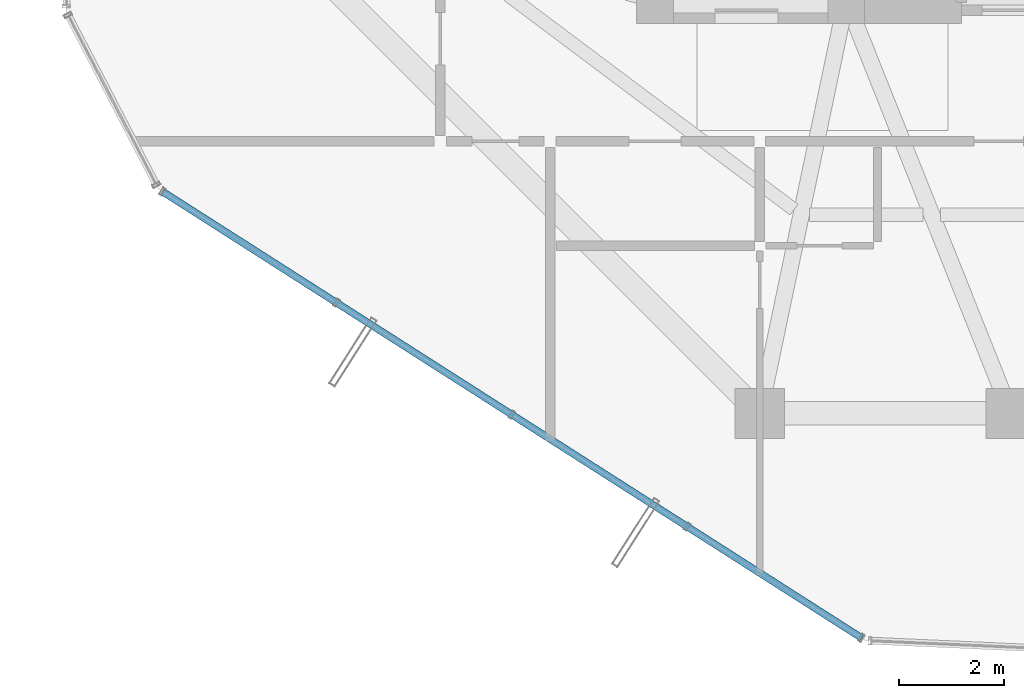
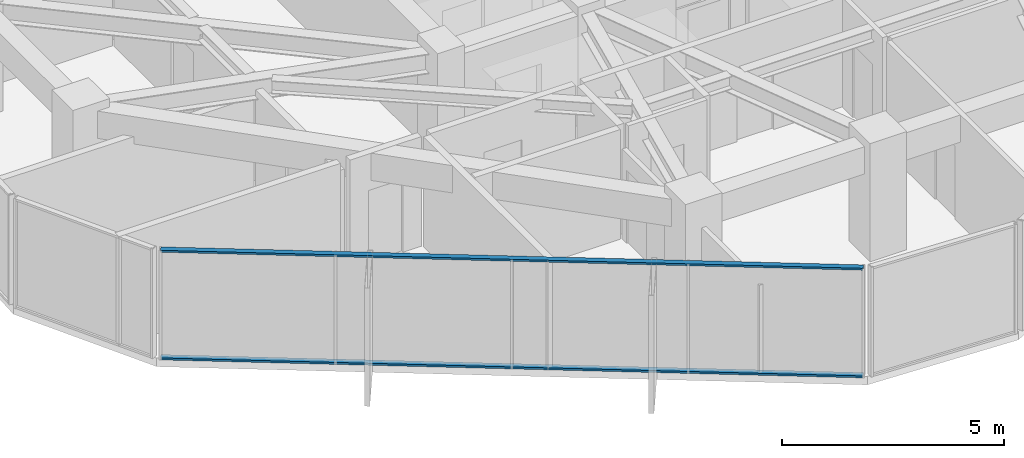
# One storey, part 3 of 29: 2 members, 1 element without a shape of its own.
"""IFC4 building model written with IfcOpenShell, lengths in metres."""

from ifc_helpers import new_model, si_unit, direction, frame, origin, origin_2d, place, context, subcontext, project, spatial, hollow_rectangle, extrude, source, transform, mapped, material, layer, layer_set, material_profile, profile_set, type_object, element, aggregate, save


model = new_model("IFC4")

# Units and contexts
model_context = context("Model", 3, precision=1e-05, world=origin(), true_north=direction((0.0, 1.0)))
body_context = subcontext(model_context, "Body", "Model", "MODEL_VIEW")
ifc_project = project(units=[si_unit("LENGTHUNIT", "METRE"), si_unit("AREAUNIT", "SQUARE_METRE"), si_unit("VOLUMEUNIT", "CUBIC_METRE"), si_unit("PLANEANGLEUNIT", "RADIAN"), si_unit("MASSUNIT", "GRAM", prefix="KILO")], contexts=[model_context])

# Site, building, storey
site_placement = place(None, origin())
site = spatial("IfcSite", under=ifc_project, at=site_placement, CompositionType="ELEMENT")
building_placement = place(site_placement, origin())
building = spatial("IfcBuilding", under=site, at=building_placement, Name="Veraguas Prism Commons", CompositionType="ELEMENT")
storey_placement = place(building_placement, frame((0.0, 0.0, 215.64990234375)))
storey = spatial("IfcBuildingStorey", under=building, at=storey_placement, Name="L61", CompositionType="ELEMENT", Elevation=215.64990234375)

# Curtain wall, members
ifc_material = material(Name="Anodised aluminium EN AW-6063 T6", Category="aluminium")
ifc_layer = layer(ifc_material, 0.14990234375, Name="Unitised Flush Curtain Wall Zone 3", Category="aluminium")
ifc_layer_set = layer_set([ifc_layer], Name="Anodised aluminium EN AW-6063 T6")
curtain_wall_type = type_object("IfcCurtainWallType", Name="Unitised Flush Curtain Wall Zone 3", PredefinedType="NOTDEFINED", material=ifc_layer_set)
curtain_wall_placement = place(storey_placement, origin())
curtain_wall = element("IfcCurtainWall", 1, at=curtain_wall_placement, inside=storey, type_object=curtain_wall_type, Name="Tower Facade Curtain Wall L61-F4", PredefinedType="NOTDEFINED")
ifc_material_profile = material_profile(ifc_material, hollow_rectangle(XDim=0.054931640625, YDim=0.135009765625, WallThickness=0.0029296875, at=origin_2d()), Name="AL55X135X3")
ifc_profile_set = profile_set([ifc_material_profile], Name="Anodised aluminium EN AW-6063 T6")
member_type = type_object("IfcMemberType", Name="Curtain Wall Transom Standard AL 55x135x3", PredefinedType="USERDEFINED", material=ifc_profile_set)
shared_shape = source(origin(), body_context, "Body", "SweptSolid", [
    extrude(hollow_rectangle(XDim=0.054931640625, YDim=0.135009765625, WallThickness=0.0029296875, at=origin_2d()), origin(), (0.0, 0.0, 1.0), 15.842529296875),
])
member_1_placement = place(storey_placement, frame((7.79248046875, 13.33642578125, 0.027587890625), z_axis=(0.842829853257, -0.538180117116, 0.0), x_axis=(0.0, 0.0, 1.0)))
member_1 = element("IfcMember", 2, at=member_1_placement, type_object=member_type, Name="CW-Z3 Transom 1", ObjectType="TRANSOM", PredefinedType="USERDEFINED", context=body_context, shape_type="MappedRepresentation", body=[
    mapped(shared_shape, transform((0.0, 0.0, 0.0), scale=1.0)),
])
member_2_placement = place(storey_placement, frame((7.79248046875, 13.33642578125, 2.987548828125), z_axis=(0.842829853257, -0.538180117116, 0.0), x_axis=(0.0, 0.0, 1.0)))
member_2 = element("IfcMember", 3, at=member_2_placement, type_object=member_type, Name="CW-Z3 Transom 2", ObjectType="TRANSOM", PredefinedType="USERDEFINED", context=body_context, shape_type="MappedRepresentation", body=[
    mapped(shared_shape, transform((0.0, 0.0, 0.0), scale=1.0)),
])
aggregate(curtain_wall, [member_1, member_2])

save(model, "model.ifc")
